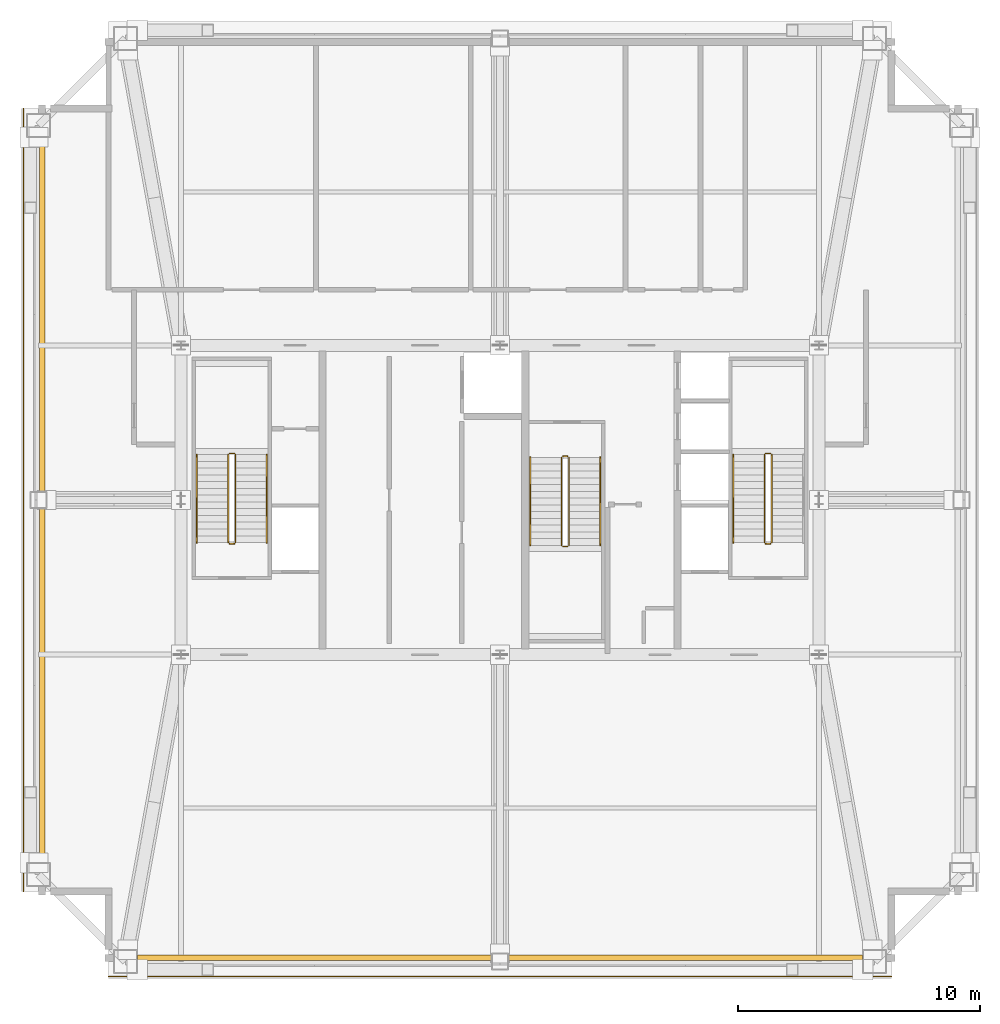
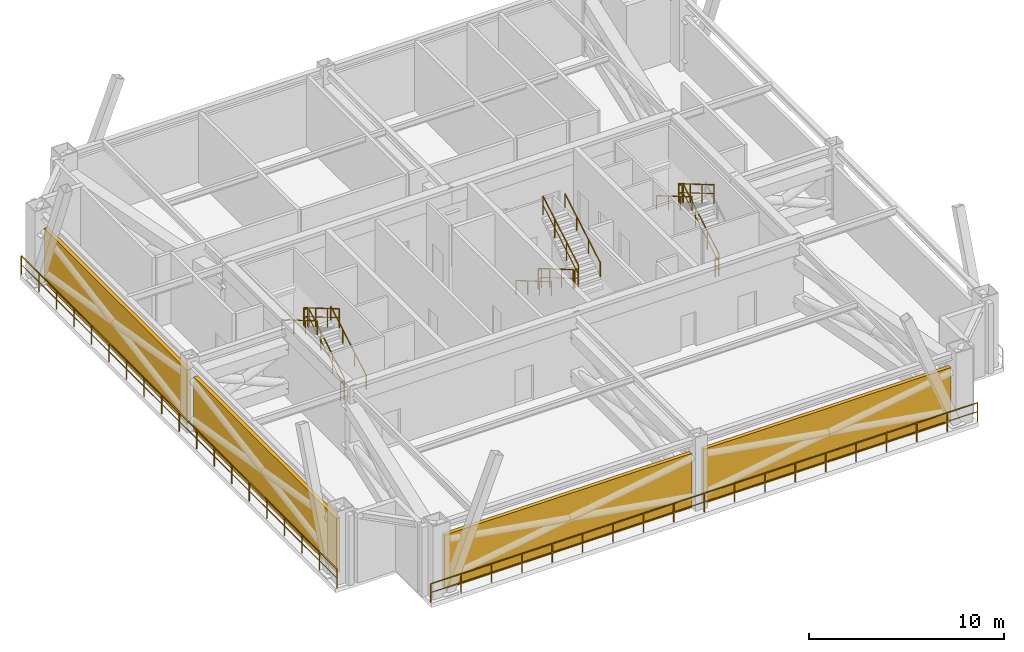
# One storey, part 8 of 9: 19 railings, 4 shading devices.
"""IFC4 building model written with IfcOpenShell, lengths in metres."""

from ifc_helpers import new_model, si_unit, direction, frame, origin, origin_2d, place, context, subcontext, project, spatial, rectangle, extrude, source, transform, mapped, material, layer, layer_set, type_object, element, save


model = new_model("IFC4")

# Units and contexts
model_context = context("Model", 3, precision=1e-05, world=origin(), true_north=direction((0.0, 1.0)))
body_context = subcontext(model_context, "Body", "Model", "MODEL_VIEW")
ifc_project = project(units=[si_unit("LENGTHUNIT", "METRE"), si_unit("AREAUNIT", "SQUARE_METRE"), si_unit("VOLUMEUNIT", "CUBIC_METRE"), si_unit("PLANEANGLEUNIT", "RADIAN"), si_unit("MASSUNIT", "GRAM", prefix="KILO"), si_unit("THERMODYNAMICTEMPERATUREUNIT", "KELVIN"), si_unit("POWERUNIT", "WATT")], contexts=[model_context])

# Site, building, storey
site_placement = place(None, origin())
site = spatial("IfcSite", under=ifc_project, at=site_placement, CompositionType="ELEMENT")
building_placement = place(site_placement, origin())
building = spatial("IfcBuilding", under=site, at=building_placement, Name="Yuzanri Waterfront Tower", CompositionType="ELEMENT")
storey_placement = place(building_placement, frame((0.0, 0.0, 306.60009765625)))
storey = spatial("IfcBuildingStorey", under=building, at=storey_placement, Name="L82", CompositionType="ELEMENT", Elevation=306.60009765625)

# Shading devices
ifc_material_1 = material(Name="Anodized Architectural Bronze", Category="metal")
ifc_layer_1 = layer(ifc_material_1, 0.219970703125)
ifc_layer_set_1 = layer_set([ifc_layer_1], Name="Anodized Architectural Bronze")
shading_device_type = type_object("IfcShadingDeviceType", Name="Anodized Bronze Refuge Wind-Diffusing Louvre Screen 220", PredefinedType="USERDEFINED", material=ifc_layer_set_1)
shared_shape_1 = source(origin(), body_context, "Body", "SweptSolid", [
    extrude(rectangle(XDim=14.64990234375, YDim=0.219970703125, at=origin_2d()), origin(), (0.0, 0.0, 1.0), 3.39990234375),
])
for number, where, z_axis, x_axis, name in (
    (1, (29.324951171875, 6.85009765625, 0.0), (0.0, 0.0, 1.0), (1.0, 0.0, 0.0), "L82 Wind-Diffusing Refuge Louvre SL"),
    (2, (44.675048828125, 6.85009765625, 0.0), (0.0, 0.0, 1.0), (1.0, 0.0, 0.0), "L82 Wind-Diffusing Refuge Louvre SR"),
):
    element("IfcShadingDevice", number, at=place(storey_placement, frame(where, z_axis=z_axis, x_axis=x_axis)), inside=storey, type_object=shading_device_type, Name=name, ObjectType="LOUVRE", PredefinedType="USERDEFINED", context=body_context, shape_type="MappedRepresentation", body=[
        mapped(shared_shape_1, transform((0.0, 0.0, 0.0), scale=1.0)),
    ])
shared_shape_2 = source(origin(), body_context, "Body", "SweptSolid", [
    extrude(rectangle(XDim=0.219970703125, YDim=14.64990234375, at=origin_2d()), origin(), (0.0, 0.0, 1.0), 3.39990234375),
])
for number, where, z_axis, x_axis, name in (
    (3, (18.050048828125, 18.125, 0.0), (0.0, 0.0, 1.0), (1.0, 0.0, 0.0), "L82 Wind-Diffusing Refuge Louvre WL"),
    (4, (18.050048828125, 33.47509765625, 0.0), (0.0, 0.0, 1.0), (1.0, 0.0, 0.0), "L82 Wind-Diffusing Refuge Louvre WR"),
):
    element("IfcShadingDevice", number, at=place(storey_placement, frame(where, z_axis=z_axis, x_axis=x_axis)), inside=storey, type_object=shading_device_type, Name=name, ObjectType="LOUVRE", PredefinedType="USERDEFINED", context=body_context, shape_type="MappedRepresentation", body=[
        mapped(shared_shape_2, transform((0.0, 0.0, 0.0), scale=1.0)),
    ])

# Railings
ifc_material_2 = material(Name="Anodized Architectural Bronze", Category="metal")
ifc_layer_2 = layer(ifc_material_2, 0.080078125)
ifc_layer_set_2 = layer_set([ifc_layer_2], Name="Anodized Architectural Bronze")
railing_type_1 = type_object("IfcRailingType", Name="Laminated Glass and Bronze Balcony Guardrail 1200", PredefinedType="BALUSTRADE", material=ifc_layer_set_2)
shared_shape_3 = source(origin(), body_context, "Body", "SweptSolid", [
    extrude(rectangle(XDim=0.050048828125, YDim=0.050048828125, at=origin_2d()), frame((0.0, 0.0, 1.1748046875), z_axis=(1.0, 0.0, 0.0), x_axis=(0.0, 1.0, 0.0)), (0.0, 0.0, 1.0), 32.39990234375),
    extrude(rectangle(XDim=0.035888671875, YDim=0.030029296875, at=origin_2d()), frame((0.0, 0.0, 0.6240234375), z_axis=(1.0, 0.0, 0.0), x_axis=(0.0, 1.0, 0.0)), (0.0, 0.0, 1.0), 32.39990234375),
    extrude(rectangle(XDim=0.0458984375, YDim=0.0458984375, at=origin_2d()), origin(), (0.0, 0.0, 1.0), 1.14990234375),
    extrude(rectangle(XDim=0.0458984375, YDim=0.0458984375, at=origin_2d()), frame((1.800048828125, 0.0, 0.0)), (0.0, 0.0, 1.0), 1.14990234375),
    extrude(rectangle(XDim=0.0458984375, YDim=0.0458984375, at=origin_2d()), frame((3.60009765625, 0.0, 0.0)), (0.0, 0.0, 1.0), 1.14990234375),
    extrude(rectangle(XDim=0.0458984375, YDim=0.0458984375, at=origin_2d()), frame((5.39990234375, 0.0, 0.0)), (0.0, 0.0, 1.0), 1.14990234375),
    extrude(rectangle(XDim=0.0458984375, YDim=0.0458984375, at=origin_2d()), frame((7.199951171875, 0.0, 0.0)), (0.0, 0.0, 1.0), 1.14990234375),
    extrude(rectangle(XDim=0.0458984375, YDim=0.0458984375, at=origin_2d()), frame((9.0, 0.0, 0.0)), (0.0, 0.0, 1.0), 1.14990234375),
    extrude(rectangle(XDim=0.0458984375, YDim=0.0458984375, at=origin_2d()), frame((10.800048828125, 0.0, 0.0)), (0.0, 0.0, 1.0), 1.14990234375),
    extrude(rectangle(XDim=0.0458984375, YDim=0.0458984375, at=origin_2d()), frame((12.599853515625, 0.0, 0.0)), (0.0, 0.0, 1.0), 1.14990234375),
    extrude(rectangle(XDim=0.0458984375, YDim=0.0458984375, at=origin_2d()), frame((14.39990234375, 0.0, 0.0)), (0.0, 0.0, 1.0), 1.14990234375),
    extrude(rectangle(XDim=0.0458984375, YDim=0.0458984375, at=origin_2d()), frame((16.199951171875, 0.0, 0.0)), (0.0, 0.0, 1.0), 1.14990234375),
    extrude(rectangle(XDim=0.0458984375, YDim=0.0458984375, at=origin_2d()), frame((18.0, 0.0, 0.0)), (0.0, 0.0, 1.0), 1.14990234375),
    extrude(rectangle(XDim=0.0458984375, YDim=0.0458984375, at=origin_2d()), frame((19.800048828125, 0.0, 0.0)), (0.0, 0.0, 1.0), 1.14990234375),
    extrude(rectangle(XDim=0.0458984375, YDim=0.0458984375, at=origin_2d()), frame((21.599853515625, 0.0, 0.0)), (0.0, 0.0, 1.0), 1.14990234375),
    extrude(rectangle(XDim=0.0458984375, YDim=0.0458984375, at=origin_2d()), frame((23.39990234375, 0.0, 0.0)), (0.0, 0.0, 1.0), 1.14990234375),
    extrude(rectangle(XDim=0.0458984375, YDim=0.0458984375, at=origin_2d()), frame((25.199951171875, 0.0, 0.0)), (0.0, 0.0, 1.0), 1.14990234375),
    extrude(rectangle(XDim=0.0458984375, YDim=0.0458984375, at=origin_2d()), frame((27.0, 0.0, 0.0)), (0.0, 0.0, 1.0), 1.14990234375),
    extrude(rectangle(XDim=0.0458984375, YDim=0.0458984375, at=origin_2d()), frame((28.7998046875, 0.0, 0.0)), (0.0, 0.0, 1.0), 1.14990234375),
    extrude(rectangle(XDim=0.0458984375, YDim=0.0458984375, at=origin_2d()), frame((30.599853515625, 0.0, 0.0)), (0.0, 0.0, 1.0), 1.14990234375),
    extrude(rectangle(XDim=0.0458984375, YDim=0.0458984375, at=origin_2d()), frame((32.39990234375, 0.0, 0.0)), (0.0, 0.0, 1.0), 1.14990234375),
])
railing_1_placement = place(storey_placement, frame((20.800048828125, 6.080078125, 0.0)))
element("IfcRailing", 5, at=railing_1_placement, inside=storey, type_object=railing_type_1, Name="L82 South Refuge Edge Guard", PredefinedType="BALUSTRADE", context=body_context, shape_type="MappedRepresentation", body=[
    mapped(shared_shape_3, transform((0.0, 0.0, 0.0), scale=1.0)),
])
shared_shape_4 = source(origin(), body_context, "Body", "SweptSolid", [
    extrude(rectangle(XDim=0.050048828125, YDim=0.050048828125, at=origin_2d()), frame((0.0, 0.0, 1.1748046875), z_axis=(0.0, 1.0, 0.0), x_axis=(-1.0, 0.0, 0.0)), (0.0, 0.0, 1.0), 32.39990234375),
    extrude(rectangle(XDim=0.035888671875, YDim=0.030029296875, at=origin_2d()), frame((0.0, 0.0, 0.6240234375), z_axis=(0.0, 1.0, 0.0), x_axis=(-1.0, 0.0, 0.0)), (0.0, 0.0, 1.0), 32.39990234375),
    extrude(rectangle(XDim=0.0458984375, YDim=0.0458984375, at=origin_2d()), origin(), (0.0, 0.0, 1.0), 1.14990234375),
    extrude(rectangle(XDim=0.0458984375, YDim=0.0458984375, at=origin_2d()), frame((0.0, 1.800048828125, 0.0)), (0.0, 0.0, 1.0), 1.14990234375),
    extrude(rectangle(XDim=0.0458984375, YDim=0.0458984375, at=origin_2d()), frame((0.0, 3.60009765625, 0.0)), (0.0, 0.0, 1.0), 1.14990234375),
    extrude(rectangle(XDim=0.0458984375, YDim=0.0458984375, at=origin_2d()), frame((0.0, 5.39990234375, 0.0)), (0.0, 0.0, 1.0), 1.14990234375),
    extrude(rectangle(XDim=0.0458984375, YDim=0.0458984375, at=origin_2d()), frame((0.0, 7.199951171875, 0.0)), (0.0, 0.0, 1.0), 1.14990234375),
    extrude(rectangle(XDim=0.0458984375, YDim=0.0458984375, at=origin_2d()), frame((0.0, 9.0, 0.0)), (0.0, 0.0, 1.0), 1.14990234375),
    extrude(rectangle(XDim=0.0458984375, YDim=0.0458984375, at=origin_2d()), frame((0.0, 10.800048828125, 0.0)), (0.0, 0.0, 1.0), 1.14990234375),
    extrude(rectangle(XDim=0.0458984375, YDim=0.0458984375, at=origin_2d()), frame((0.0, 12.599853515625, 0.0)), (0.0, 0.0, 1.0), 1.14990234375),
    extrude(rectangle(XDim=0.0458984375, YDim=0.0458984375, at=origin_2d()), frame((0.0, 14.39990234375, 0.0)), (0.0, 0.0, 1.0), 1.14990234375),
    extrude(rectangle(XDim=0.0458984375, YDim=0.0458984375, at=origin_2d()), frame((0.0, 16.199951171875, 0.0)), (0.0, 0.0, 1.0), 1.14990234375),
    extrude(rectangle(XDim=0.0458984375, YDim=0.0458984375, at=origin_2d()), frame((0.0, 18.0, 0.0)), (0.0, 0.0, 1.0), 1.14990234375),
    extrude(rectangle(XDim=0.0458984375, YDim=0.0458984375, at=origin_2d()), frame((0.0, 19.800048828125, 0.0)), (0.0, 0.0, 1.0), 1.14990234375),
    extrude(rectangle(XDim=0.0458984375, YDim=0.0458984375, at=origin_2d()), frame((0.0, 21.599853515625, 0.0)), (0.0, 0.0, 1.0), 1.14990234375),
    extrude(rectangle(XDim=0.0458984375, YDim=0.0458984375, at=origin_2d()), frame((0.0, 23.39990234375, 0.0)), (0.0, 0.0, 1.0), 1.14990234375),
    extrude(rectangle(XDim=0.0458984375, YDim=0.0458984375, at=origin_2d()), frame((0.0, 25.199951171875, 0.0)), (0.0, 0.0, 1.0), 1.14990234375),
    extrude(rectangle(XDim=0.0458984375, YDim=0.0458984375, at=origin_2d()), frame((0.0, 27.0, 0.0)), (0.0, 0.0, 1.0), 1.14990234375),
    extrude(rectangle(XDim=0.0458984375, YDim=0.0458984375, at=origin_2d()), frame((0.0, 28.7998046875, 0.0)), (0.0, 0.0, 1.0), 1.14990234375),
    extrude(rectangle(XDim=0.0458984375, YDim=0.0458984375, at=origin_2d()), frame((0.0, 30.599853515625, 0.0)), (0.0, 0.0, 1.0), 1.14990234375),
    extrude(rectangle(XDim=0.0458984375, YDim=0.0458984375, at=origin_2d()), frame((0.0, 32.39990234375, 0.0)), (0.0, 0.0, 1.0), 1.14990234375),
])
railing_2_placement = place(storey_placement, frame((17.280029296875, 9.60009765625, 0.0)))
element("IfcRailing", 6, at=railing_2_placement, inside=storey, type_object=railing_type_1, Name="L82 West Refuge Edge Guard", PredefinedType="BALUSTRADE", context=body_context, shape_type="MappedRepresentation", body=[
    mapped(shared_shape_4, transform((0.0, 0.0, 0.0), scale=1.0)),
])
ifc_material_3 = material(Name="Painted Galvanized Fire Steel", Category="steel")
ifc_layer_3 = layer(ifc_material_3, 0.06005859375)
ifc_layer_set_3 = layer_set([ifc_layer_3], Name="Painted Galvanized Fire Steel")
railing_type_2 = type_object("IfcRailingType", Name="Painted Steel Stairwell Guardrail 1120", PredefinedType="GUARDRAIL", material=ifc_layer_set_3)
shared_shape_5 = source(origin(), body_context, "Body", "SweptSolid", [
    extrude(rectangle(XDim=0.050048828125, YDim=0.050048828125, at=origin_2d()), frame((0.0, 0.0, 1.1748046875), z_axis=(-1.0, 0.0, 0.0), x_axis=(0.0, -1.0, 0.0)), (0.0, 0.0, 1.0), 0.199951171875),
    extrude(rectangle(XDim=0.035888671875, YDim=0.030029296875, at=origin_2d()), frame((0.0, 0.0, 0.6240234375), z_axis=(-1.0, 0.0, 0.0), x_axis=(0.0, -1.0, 0.0)), (0.0, 0.0, 1.0), 0.199951171875),
    extrude(rectangle(XDim=0.0458984375, YDim=0.0458984375, at=origin_2d()), origin(), (0.0, 0.0, 1.0), 1.14990234375),
    extrude(rectangle(XDim=0.0458984375, YDim=0.0458984375, at=origin_2d()), frame((-0.199951171875, 0.0, 0.0)), (0.0, 0.0, 1.0), 1.14990234375),
])
for number, where, name in (
    (7, (26.0, 27.72998046875, 2.2998046875), "L82 ST-01 stair guard 2"),
    (8, (26.0, 23.989990234375, 0.0), "L82 ST-01 stair guard 4"),
    (9, (48.199951171875, 27.72998046875, 2.2998046875), "L82 ST-02 stair guard 2"),
    (10, (48.199951171875, 23.989990234375, 0.0), "L82 ST-02 stair guard 4"),
):
    element("IfcRailing", number, at=place(storey_placement, frame(where)), inside=storey, type_object=railing_type_2, Name=name, PredefinedType="GUARDRAIL", context=body_context, shape_type="MappedRepresentation", body=[
        mapped(shared_shape_5, transform((0.0, 0.0, 0.0), scale=1.0)),
    ])
shared_shape_6 = source(origin(), body_context, "Body", "SweptSolid", [
    extrude(rectangle(XDim=0.050048828125, YDim=0.050048828125, at=origin_2d()), frame((0.0, 0.0, 1.1748046875), z_axis=(0.0, -0.862489892076, 0.506074289079), x_axis=(1.0, 0.0, 0.0)), (0.0, 0.0, 1.0), 4.22021484375),
    extrude(rectangle(XDim=0.035888671875, YDim=0.030029296875, at=origin_2d()), frame((0.0, 0.0, 0.6240234375), z_axis=(0.0, -0.862489892076, 0.506074289079), x_axis=(1.0, 0.0, 0.0)), (0.0, 0.0, 1.0), 4.22021484375),
    extrude(rectangle(XDim=0.0458984375, YDim=0.0458984375, at=origin_2d()), origin(), (0.0, 0.0, 1.0), 1.14990234375),
    extrude(rectangle(XDim=0.0458984375, YDim=0.0458984375, at=origin_2d()), frame((0.0, -1.21337890625, 0.7119140625)), (0.0, 0.0, 1.0), 1.14990234375),
    extrude(rectangle(XDim=0.0458984375, YDim=0.0458984375, at=origin_2d()), frame((0.0, -2.426513671875, 1.423828125)), (0.0, 0.0, 1.0), 1.14990234375),
    extrude(rectangle(XDim=0.0458984375, YDim=0.0458984375, at=origin_2d()), frame((0.0, -3.639892578125, 2.1357421875)), (0.0, 0.0, 1.0), 1.14990234375),
])
for number, where, name in (
    (11, (25.75, 27.679931640625, 2.464111328125), "L82 ST-01 stair guard 3"),
    (12, (47.949951171875, 27.679931640625, 2.464111328125), "L82 ST-02 stair guard 3"),
):
    element("IfcRailing", number, at=place(storey_placement, frame(where)), inside=storey, type_object=railing_type_2, Name=name, PredefinedType="GUARDRAIL", context=body_context, shape_type="MappedRepresentation", body=[
        mapped(shared_shape_6, transform((0.0, 0.0, 0.0), scale=1.0)),
    ])
ifc_material_4 = material(Name="Anodized Architectural Bronze", Category="metal")
ifc_layer_4 = layer(ifc_material_4, 0.050048828125)
ifc_layer_set_4 = layer_set([ifc_layer_4], Name="Anodized Architectural Bronze")
railing_type_3 = type_object("IfcRailingType", Name="Brushed Bronze Stair Pitch Handrail 920", PredefinedType="HANDRAIL", material=ifc_layer_set_4)
shared_shape_7 = source(origin(), body_context, "Body", "SweptSolid", [
    extrude(rectangle(XDim=0.050048828125, YDim=0.050048828125, at=origin_2d()), frame((0.0, 0.0, 0.875), z_axis=(0.0, -0.862489892076, 0.506074289079), x_axis=(1.0, 0.0, 0.0)), (0.0, 0.0, 1.0), 4.22021484375),
    extrude(rectangle(XDim=0.0458984375, YDim=0.0458984375, at=origin_2d()), origin(), (0.0, 0.0, 1.0), 0.849853515625),
    extrude(rectangle(XDim=0.0458984375, YDim=0.0458984375, at=origin_2d()), frame((0.0, -1.21337890625, 0.7119140625)), (0.0, 0.0, 1.0), 0.849853515625),
    extrude(rectangle(XDim=0.0458984375, YDim=0.0458984375, at=origin_2d()), frame((0.0, -2.426513671875, 1.423828125)), (0.0, 0.0, 1.0), 0.849853515625),
    extrude(rectangle(XDim=0.0458984375, YDim=0.0458984375, at=origin_2d()), frame((0.0, -3.639892578125, 2.1357421875)), (0.0, 0.0, 1.0), 0.849853515625),
])
for number, where, name in (
    (13, (24.449951171875, 27.679931640625, 2.464111328125), "L82 ST-01 stair handrail 2"),
    (14, (46.64990234375, 27.679931640625, 2.464111328125), "L82 ST-02 stair handrail 2"),
):
    element("IfcRailing", number, at=place(storey_placement, frame(where)), inside=storey, type_object=railing_type_3, Name=name, PredefinedType="HANDRAIL", context=body_context, shape_type="MappedRepresentation", body=[
        mapped(shared_shape_7, transform((0.0, 0.0, 0.0), scale=1.0)),
    ])
shared_shape_8 = source(origin(), body_context, "Body", "SweptSolid", [
    extrude(rectangle(XDim=0.050048828125, YDim=0.050048828125, at=origin_2d()), frame((0.0, 0.0, 1.1748046875), z_axis=(0.0, 0.862515142463, 0.50603125301), x_axis=(-1.0, 0.0, 0.0)), (0.0, 0.0, 1.0), 4.219970703125),
    extrude(rectangle(XDim=0.035888671875, YDim=0.030029296875, at=origin_2d()), frame((0.0, 0.0, 0.6240234375), z_axis=(0.0, 0.862515142463, 0.50603125301), x_axis=(-1.0, 0.0, 0.0)), (0.0, 0.0, 1.0), 4.219970703125),
    extrude(rectangle(XDim=0.0458984375, YDim=0.0458984375, at=origin_2d()), origin(), (0.0, 0.0, 1.0), 1.14990234375),
    extrude(rectangle(XDim=0.0458984375, YDim=0.0458984375, at=origin_2d()), frame((0.0, 1.21337890625, 0.7119140625)), (0.0, 0.0, 1.0), 1.14990234375),
    extrude(rectangle(XDim=0.0458984375, YDim=0.0458984375, at=origin_2d()), frame((0.0, 2.426513671875, 1.423583984375)), (0.0, 0.0, 1.0), 1.14990234375),
    extrude(rectangle(XDim=0.0458984375, YDim=0.0458984375, at=origin_2d()), frame((0.0, 3.639892578125, 2.135498046875)), (0.0, 0.0, 1.0), 1.14990234375),
])
for number, where, name in (
    (15, (26.050048828125, 24.0400390625, 0.164306640625), "L82 ST-01 stair guard 1"),
    (16, (48.25, 24.0400390625, 0.164306640625), "L82 ST-02 stair guard 1"),
):
    element("IfcRailing", number, at=place(storey_placement, frame(where)), inside=storey, type_object=railing_type_2, Name=name, PredefinedType="GUARDRAIL", context=body_context, shape_type="MappedRepresentation", body=[
        mapped(shared_shape_8, transform((0.0, 0.0, 0.0), scale=1.0)),
    ])
shared_shape_9 = source(origin(), body_context, "Body", "SweptSolid", [
    extrude(rectangle(XDim=0.050048828125, YDim=0.050048828125, at=origin_2d()), frame((0.0, 0.0, 0.875), z_axis=(0.0, 0.862515142463, 0.50603125301), x_axis=(-1.0, 0.0, 0.0)), (0.0, 0.0, 1.0), 4.219970703125),
    extrude(rectangle(XDim=0.0458984375, YDim=0.0458984375, at=origin_2d()), origin(), (0.0, 0.0, 1.0), 0.849853515625),
    extrude(rectangle(XDim=0.0458984375, YDim=0.0458984375, at=origin_2d()), frame((0.0, 1.21337890625, 0.7119140625)), (0.0, 0.0, 1.0), 0.849853515625),
    extrude(rectangle(XDim=0.0458984375, YDim=0.0458984375, at=origin_2d()), frame((0.0, 2.426513671875, 1.423583984375)), (0.0, 0.0, 1.0), 0.849853515625),
    extrude(rectangle(XDim=0.0458984375, YDim=0.0458984375, at=origin_2d()), frame((0.0, 3.639892578125, 2.135498046875)), (0.0, 0.0, 1.0), 0.849853515625),
])
railing_3_placement = place(storey_placement, frame((27.35009765625, 24.0400390625, 0.164306640625)))
element("IfcRailing", 17, at=railing_3_placement, inside=storey, type_object=railing_type_3, Name="L82 ST-01 stair handrail 1", PredefinedType="HANDRAIL", context=body_context, shape_type="MappedRepresentation", body=[
    mapped(shared_shape_9, transform((0.0, 0.0, 0.0), scale=1.0)),
])
shared_shape_10 = source(origin(), body_context, "Body", "SweptSolid", [
    extrude(rectangle(XDim=0.050048828125, YDim=0.050048828125, at=origin_2d()), frame((0.0, 0.0, 1.1748046875), z_axis=(1.0, 0.0, 0.0), x_axis=(0.0, 1.0, 0.0)), (0.0, 0.0, 1.0), 0.199951171875),
    extrude(rectangle(XDim=0.035888671875, YDim=0.030029296875, at=origin_2d()), frame((0.0, 0.0, 0.6240234375), z_axis=(1.0, 0.0, 0.0), x_axis=(0.0, 1.0, 0.0)), (0.0, 0.0, 1.0), 0.199951171875),
    extrude(rectangle(XDim=0.0458984375, YDim=0.0458984375, at=origin_2d()), origin(), (0.0, 0.0, 1.0), 1.14990234375),
    extrude(rectangle(XDim=0.0458984375, YDim=0.0458984375, at=origin_2d()), frame((0.199951171875, 0.0, 0.0)), (0.0, 0.0, 1.0), 1.14990234375),
])
for number, where, name in (
    (18, (39.60009765625, 23.8701171875, 2.2998046875), "L82 ST-03 stair guard 2"),
    (19, (39.60009765625, 27.610107421875, 0.0), "L82 ST-03 stair guard 4"),
):
    element("IfcRailing", number, at=place(storey_placement, frame(where)), inside=storey, type_object=railing_type_2, Name=name, PredefinedType="GUARDRAIL", context=body_context, shape_type="MappedRepresentation", body=[
        mapped(shared_shape_10, transform((0.0, 0.0, 0.0), scale=1.0)),
    ])
shared_shape_11 = source(origin(), body_context, "Body", "SweptSolid", [
    extrude(rectangle(XDim=0.050048828125, YDim=0.050048828125, at=origin_2d()), frame((0.0, 0.0, 1.1748046875), z_axis=(0.0, 0.862504707072, 0.506049039401), x_axis=(-1.0, 0.0, 0.0)), (0.0, 0.0, 1.0), 4.220458984375),
    extrude(rectangle(XDim=0.035888671875, YDim=0.030029296875, at=origin_2d()), frame((0.0, 0.0, 0.6240234375), z_axis=(0.0, 0.862504707072, 0.506049039401), x_axis=(-1.0, 0.0, 0.0)), (0.0, 0.0, 1.0), 4.220458984375),
    extrude(rectangle(XDim=0.0458984375, YDim=0.0458984375, at=origin_2d()), origin(), (0.0, 0.0, 1.0), 1.14990234375),
    extrude(rectangle(XDim=0.0458984375, YDim=0.0458984375, at=origin_2d()), frame((0.0, 1.21337890625, 0.7119140625)), (0.0, 0.0, 1.0), 1.14990234375),
    extrude(rectangle(XDim=0.0458984375, YDim=0.0458984375, at=origin_2d()), frame((0.0, 2.4267578125, 1.423828125)), (0.0, 0.0, 1.0), 1.14990234375),
    extrude(rectangle(XDim=0.0458984375, YDim=0.0458984375, at=origin_2d()), frame((0.0, 3.64013671875, 2.1357421875)), (0.0, 0.0, 1.0), 1.14990234375),
])
railing_4_placement = place(storey_placement, frame((39.85009765625, 23.919921875, 2.464111328125)))
element("IfcRailing", 20, at=railing_4_placement, inside=storey, type_object=railing_type_2, Name="L82 ST-03 stair guard 3", PredefinedType="GUARDRAIL", context=body_context, shape_type="MappedRepresentation", body=[
    mapped(shared_shape_11, transform((0.0, 0.0, 0.0), scale=1.0)),
])
shared_shape_12 = source(origin(), body_context, "Body", "SweptSolid", [
    extrude(rectangle(XDim=0.050048828125, YDim=0.050048828125, at=origin_2d()), frame((0.0, 0.0, 0.875), z_axis=(0.0, 0.862504707072, 0.506049039401), x_axis=(-1.0, 0.0, 0.0)), (0.0, 0.0, 1.0), 4.220458984375),
    extrude(rectangle(XDim=0.0458984375, YDim=0.0458984375, at=origin_2d()), origin(), (0.0, 0.0, 1.0), 0.849853515625),
    extrude(rectangle(XDim=0.0458984375, YDim=0.0458984375, at=origin_2d()), frame((0.0, 1.21337890625, 0.7119140625)), (0.0, 0.0, 1.0), 0.849853515625),
    extrude(rectangle(XDim=0.0458984375, YDim=0.0458984375, at=origin_2d()), frame((0.0, 2.4267578125, 1.423828125)), (0.0, 0.0, 1.0), 0.849853515625),
    extrude(rectangle(XDim=0.0458984375, YDim=0.0458984375, at=origin_2d()), frame((0.0, 3.64013671875, 2.1357421875)), (0.0, 0.0, 1.0), 0.849853515625),
])
railing_5_placement = place(storey_placement, frame((41.14990234375, 23.919921875, 2.464111328125)))
element("IfcRailing", 21, at=railing_5_placement, inside=storey, type_object=railing_type_3, Name="L82 ST-03 stair handrail 2", PredefinedType="HANDRAIL", context=body_context, shape_type="MappedRepresentation", body=[
    mapped(shared_shape_12, transform((0.0, 0.0, 0.0), scale=1.0)),
])
shared_shape_13 = source(origin(), body_context, "Body", "SweptSolid", [
    extrude(rectangle(XDim=0.050048828125, YDim=0.050048828125, at=origin_2d()), frame((0.0, 0.0, 1.1748046875), z_axis=(0.0, -0.862529955373, 0.506006004), x_axis=(1.0, 0.0, 0.0)), (0.0, 0.0, 1.0), 4.22021484375),
    extrude(rectangle(XDim=0.035888671875, YDim=0.030029296875, at=origin_2d()), frame((0.0, 0.0, 0.6240234375), z_axis=(0.0, -0.862529955373, 0.506006004), x_axis=(1.0, 0.0, 0.0)), (0.0, 0.0, 1.0), 4.22021484375),
    extrude(rectangle(XDim=0.0458984375, YDim=0.0458984375, at=origin_2d()), origin(), (0.0, 0.0, 1.0), 1.14990234375),
    extrude(rectangle(XDim=0.0458984375, YDim=0.0458984375, at=origin_2d()), frame((0.0, -1.21337890625, 0.7119140625)), (0.0, 0.0, 1.0), 1.14990234375),
    extrude(rectangle(XDim=0.0458984375, YDim=0.0458984375, at=origin_2d()), frame((0.0, -2.4267578125, 1.423583984375)), (0.0, 0.0, 1.0), 1.14990234375),
    extrude(rectangle(XDim=0.0458984375, YDim=0.0458984375, at=origin_2d()), frame((0.0, -3.64013671875, 2.135498046875)), (0.0, 0.0, 1.0), 1.14990234375),
])
railing_6_placement = place(storey_placement, frame((39.550048828125, 27.56005859375, 0.164306640625)))
element("IfcRailing", 22, at=railing_6_placement, inside=storey, type_object=railing_type_2, Name="L82 ST-03 stair guard 1", PredefinedType="GUARDRAIL", context=body_context, shape_type="MappedRepresentation", body=[
    mapped(shared_shape_13, transform((0.0, 0.0, 0.0), scale=1.0)),
])
shared_shape_14 = source(origin(), body_context, "Body", "SweptSolid", [
    extrude(rectangle(XDim=0.050048828125, YDim=0.050048828125, at=origin_2d()), frame((0.0, 0.0, 0.875), z_axis=(0.0, -0.862529955373, 0.506006004), x_axis=(1.0, 0.0, 0.0)), (0.0, 0.0, 1.0), 4.22021484375),
    extrude(rectangle(XDim=0.0458984375, YDim=0.0458984375, at=origin_2d()), origin(), (0.0, 0.0, 1.0), 0.849853515625),
    extrude(rectangle(XDim=0.0458984375, YDim=0.0458984375, at=origin_2d()), frame((0.0, -1.21337890625, 0.7119140625)), (0.0, 0.0, 1.0), 0.849853515625),
    extrude(rectangle(XDim=0.0458984375, YDim=0.0458984375, at=origin_2d()), frame((0.0, -2.4267578125, 1.423583984375)), (0.0, 0.0, 1.0), 0.849853515625),
    extrude(rectangle(XDim=0.0458984375, YDim=0.0458984375, at=origin_2d()), frame((0.0, -3.64013671875, 2.135498046875)), (0.0, 0.0, 1.0), 0.849853515625),
])
railing_7_placement = place(storey_placement, frame((38.25, 27.56005859375, 0.164306640625)))
element("IfcRailing", 23, at=railing_7_placement, inside=storey, type_object=railing_type_3, Name="L82 ST-03 stair handrail 1", PredefinedType="HANDRAIL", context=body_context, shape_type="MappedRepresentation", body=[
    mapped(shared_shape_14, transform((0.0, 0.0, 0.0), scale=1.0)),
])

save(model, "model.ifc")
